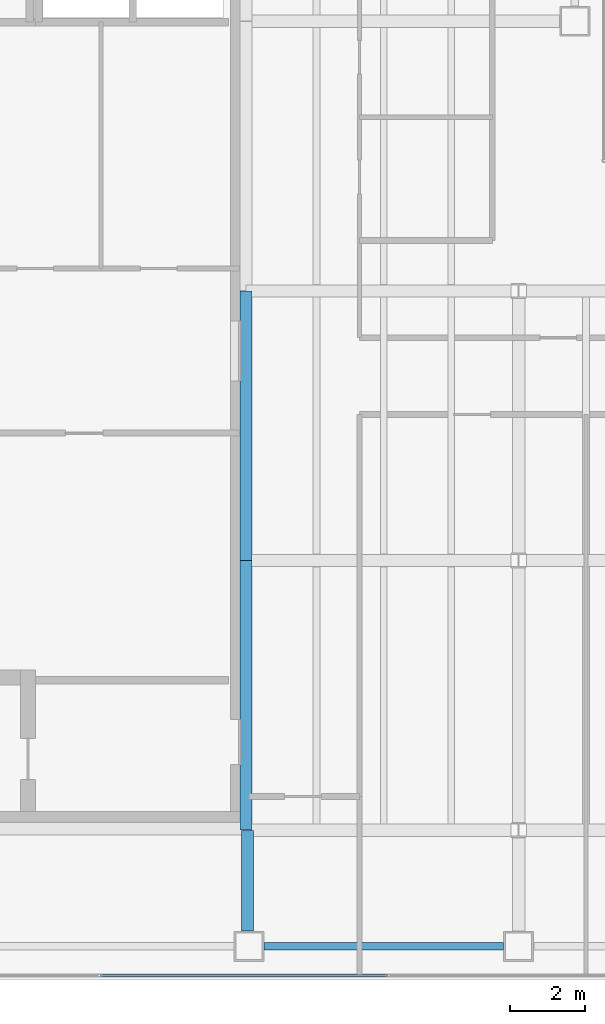
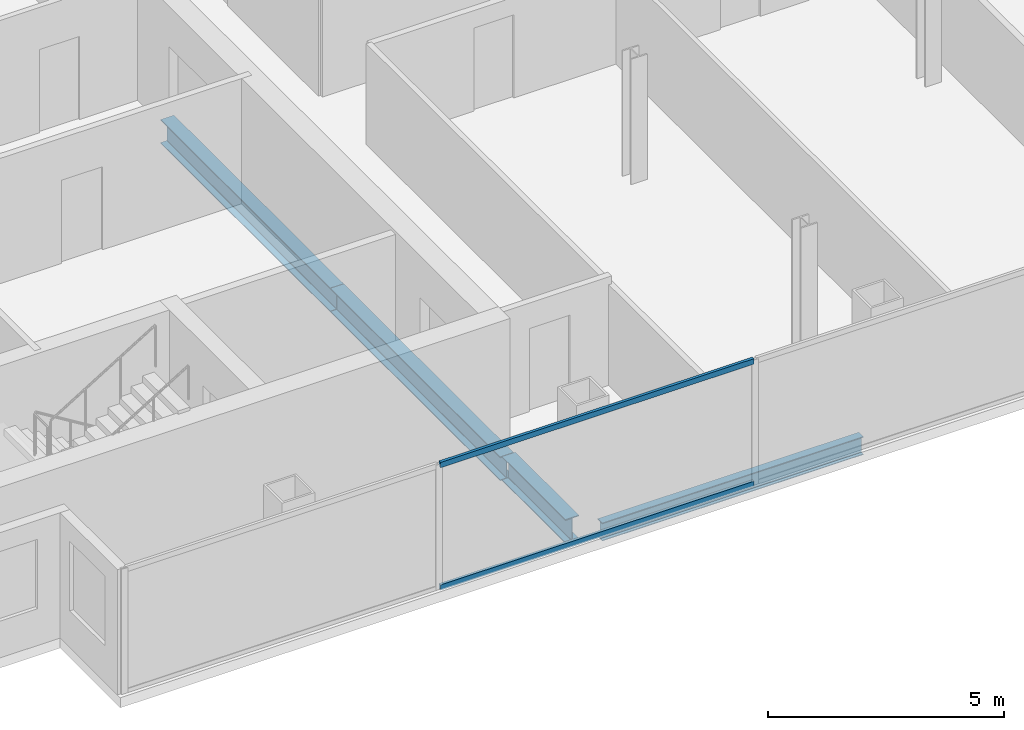
# One storey, part 3 of 23: 4 beams, 2 members, 1 element without a shape of its own.
"""IFC4 building model written with IfcOpenShell, lengths in metres."""

from ifc_helpers import new_model, si_unit, direction, frame, origin, origin_2d, place, context, subcontext, project, spatial, hollow_rectangle, i_section, extrude, material, material_profile, profile_set, type_object, element, aggregate, save


model = new_model("IFC4")

# Units and contexts
model_context = context("Model", 3, precision=1e-05, world=origin(), true_north=direction((0.0, 1.0)))
body_context = subcontext(model_context, "Body", "Model", "MODEL_VIEW")
ifc_project = project(units=[si_unit("LENGTHUNIT", "METRE"), si_unit("AREAUNIT", "SQUARE_METRE"), si_unit("VOLUMEUNIT", "CUBIC_METRE"), si_unit("PLANEANGLEUNIT", "RADIAN"), si_unit("MASSUNIT", "GRAM", prefix="KILO")], contexts=[model_context])

# Site, building, storey
site_placement = place(None, origin())
site = spatial("IfcSite", under=ifc_project, at=site_placement, CompositionType="ELEMENT")
building_placement = place(site_placement, origin())
building = spatial("IfcBuilding", under=site, at=building_placement, Name="Cobrela Telecom Tower", CompositionType="ELEMENT")
storey_placement = place(building_placement, frame((0.0, 0.0, 190.75)))
storey = spatial("IfcBuildingStorey", under=building, at=storey_placement, Name="L48", CompositionType="ELEMENT", Elevation=190.75)

# Beams
ifc_material_1 = material(Name="Steel ASTM A992 Grade 50", Category="steel")
ifc_material_profile_1 = material_profile(ifc_material_1, i_section(OverallWidth=0.327880859375, OverallDepth=0.6220703125, WebThickness=0.015380859375, FlangeThickness=0.0244140625, FilletRadius=0.014892578125, at=origin_2d()), Name="W24X131")
ifc_profile_set_1 = profile_set([ifc_material_profile_1], Name="Steel ASTM A992 Grade 50")
beam_type_1 = type_object("IfcBeamType", Name="BM-GIRD-06", PredefinedType="USERDEFINED", material=ifc_profile_set_1)
beam_1_placement = place(storey_placement, frame((14.360107421875, 4.5048828125, -0.571044921875), z_axis=(0.0, 1.0, 0.0), x_axis=(-1.0, 0.0, 0.0)))
element("IfcBeam", 1, at=beam_1_placement, inside=storey, type_object=beam_type_1, Name="L48 Primary Girder Y26", ObjectType="GIRDER", PredefinedType="USERDEFINED", context=body_context, shape_type="SweptSolid", body=[
    extrude(i_section(OverallWidth=0.327880859375, OverallDepth=0.6220703125, WebThickness=0.015380859375, FlangeThickness=0.0244140625, FilletRadius=0.014892578125, at=origin_2d()), origin(), (0.0, 0.0, 1.0), 2.690185546875),
])
for number, where, z_axis, x_axis, name in (
    (2, (14.320068359375, 7.205078125, -0.571044921875), (0.0, 1.0, 0.0), (-1.0, 0.0, 0.0), "L48 Primary Girder Y27"),
    (3, (14.320068359375, 14.405029296875, -0.571044921875), (0.0, 1.0, 0.0), (-1.0, 0.0, 0.0), "L48 Primary Girder Y28"),
):
    element("IfcBeam", number, at=place(storey_placement, frame(where, z_axis=z_axis, x_axis=x_axis)), inside=storey, type_object=beam_type_1, Name=name, ObjectType="GIRDER", PredefinedType="USERDEFINED", context=body_context, shape_type="SweptSolid", body=[
        extrude(i_section(OverallWidth=0.327880859375, OverallDepth=0.6220703125, WebThickness=0.015380859375, FlangeThickness=0.0244140625, FilletRadius=0.014892578125, at=origin_2d()), origin(), (0.0, 0.0, 1.0), 7.18994140625),
    ])
ifc_material_profile_2 = material_profile(ifc_material_1, i_section(OverallWidth=0.193115234375, OverallDepth=0.467041015625, WebThickness=0.011474609375, FlangeThickness=0.01904296875, FilletRadius=0.012939453125, at=origin_2d()), Name="W18X65")
ifc_profile_set_2 = profile_set([ifc_material_profile_2], Name="Steel ASTM A992 Grade 50")
beam_type_2 = type_object("IfcBeamType", Name="BM-SPAND-05", PredefinedType="SPANDREL", material=ifc_profile_set_2)
beam_2_placement = place(storey_placement, frame((14.804931640625, 4.10009765625, -0.493408203125), z_axis=(1.0, 0.0, 0.0), x_axis=(0.0, 1.0, 0.0)))
element("IfcBeam", 4, at=beam_2_placement, inside=storey, type_object=beam_type_2, Name="L48 Perimeter Spandrel X02", PredefinedType="SPANDREL", context=body_context, shape_type="SweptSolid", body=[
    extrude(i_section(OverallWidth=0.193115234375, OverallDepth=0.467041015625, WebThickness=0.011474609375, FlangeThickness=0.01904296875, FilletRadius=0.012939453125, at=origin_2d()), origin(), (0.0, 0.0, 1.0), 6.39013671875),
])

# Curtain wall, members
ifc_material_2 = material(Name="Anodized Bronze Aluminium 6063-T6", Category="aluminium")
curtain_wall_type = type_object("IfcCurtainWallType", Name="CW-SYS-OFF-LO", PredefinedType="USERDEFINED", material=ifc_material_2)
curtain_wall_placement = place(storey_placement, origin())
curtain_wall = element("IfcCurtainWall", 5, at=curtain_wall_placement, inside=storey, type_object=curtain_wall_type, Name="L48 Unitised Bronze Curtain Wall 17", ObjectType="UNITISED CURTAIN WALL", PredefinedType="USERDEFINED")
ifc_material_profile_3 = material_profile(ifc_material_2, hollow_rectangle(XDim=0.070068359375, YDim=0.139892578125, WallThickness=0.00390625, at=origin_2d()), Name="ALU 70x140x4")
ifc_profile_set_3 = profile_set([ifc_material_profile_3], Name="Anodized Bronze Aluminium 6063-T6")
member_type = type_object("IfcMemberType", Name="CW-SYS-OFF-LO-TRN", PredefinedType="USERDEFINED", material=ifc_profile_set_3)
member_1_placement = place(storey_placement, frame((18.09912109375, 3.320068359375, 0.034912109375), z_axis=(-1.0, 0.0, 0.0), x_axis=(0.0, -1.0, 0.0)))
member_1 = element("IfcMember", 6, at=member_1_placement, type_object=member_type, Name="CW-OFF-LO transom 4.1", ObjectType="TRANSOM", PredefinedType="USERDEFINED", context=body_context, shape_type="SweptSolid", body=[
    extrude(hollow_rectangle(XDim=0.070068359375, YDim=0.139892578125, WallThickness=0.00390625, at=origin_2d()), origin(), (0.0, 0.0, 1.0), 7.662109375),
])
member_2_placement = place(storey_placement, frame((18.09912109375, 3.320068359375, 3.205078125), z_axis=(-1.0, 0.0, 0.0), x_axis=(0.0, -1.0, 0.0)))
member_2 = element("IfcMember", 7, at=member_2_placement, type_object=member_type, Name="CW-OFF-LO transom 4.2", ObjectType="TRANSOM", PredefinedType="USERDEFINED", context=body_context, shape_type="SweptSolid", body=[
    extrude(hollow_rectangle(XDim=0.070068359375, YDim=0.139892578125, WallThickness=0.00390625, at=origin_2d()), origin(), (0.0, 0.0, 1.0), 7.662109375),
])
aggregate(curtain_wall, [member_1, member_2])

save(model, "model.ifc")
